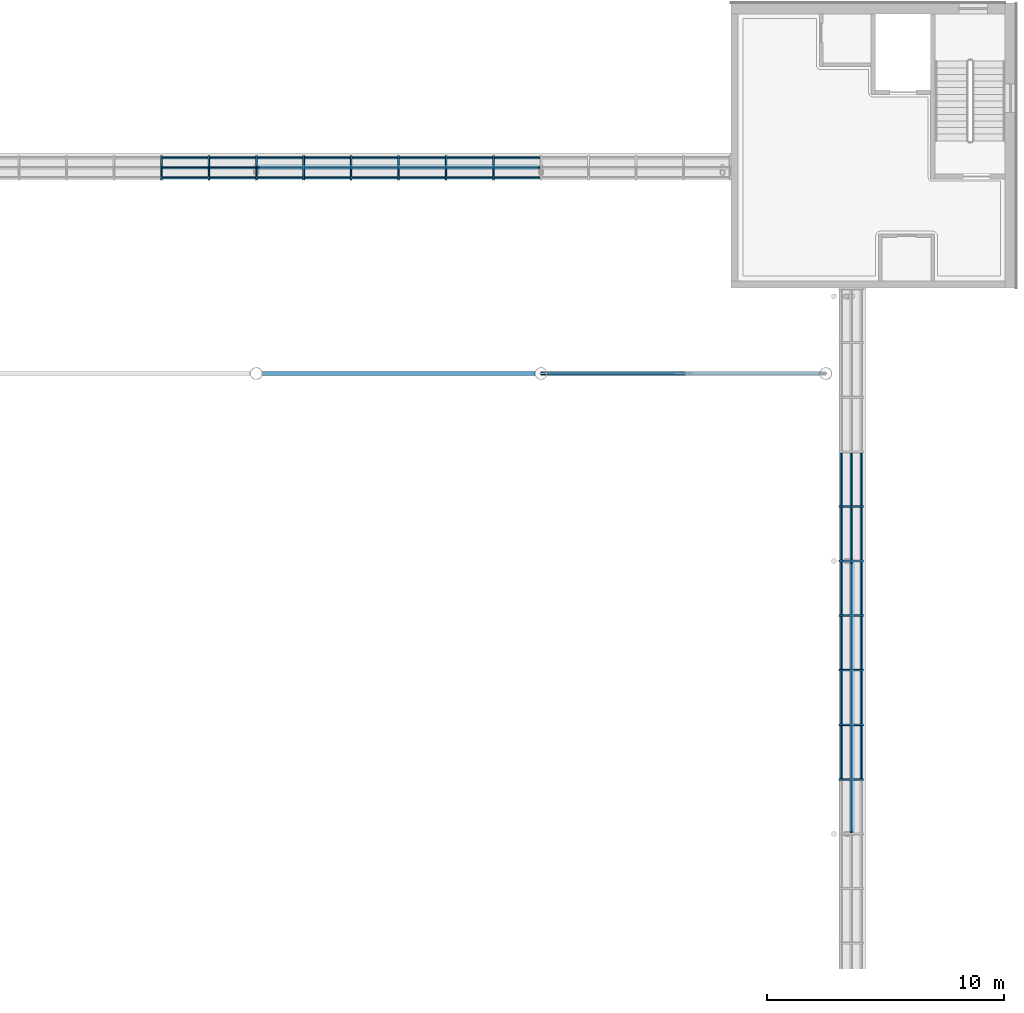
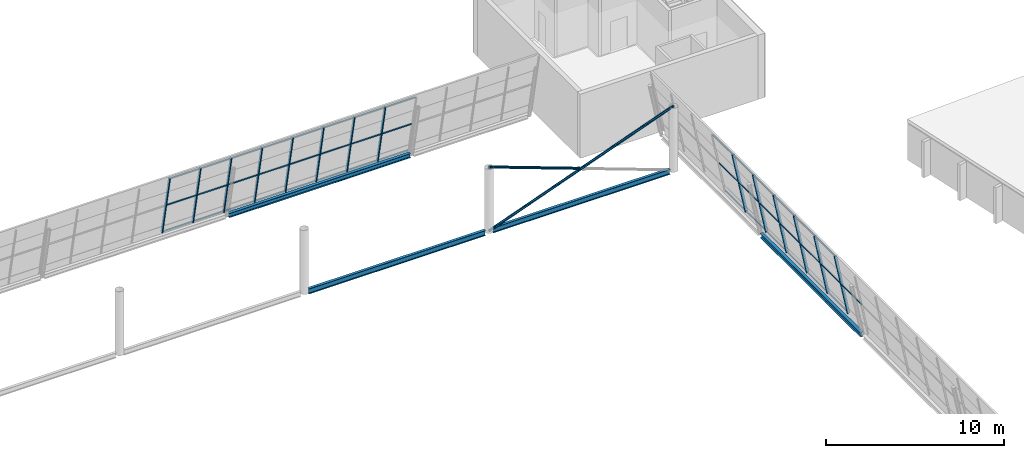
# One storey, part 16 of 50: 59 members, 4 beams, 2 elements without a shape of their own.
"""IFC4 building model written with IfcOpenShell, lengths in metres."""

from ifc_helpers import new_model, si_unit, direction, frame, origin, origin_2d, place, context, subcontext, project, spatial, rectangle, hollow_circle, i_section, extrude, material, layer, layer_set, material_profile, profile_set, type_object, element, aggregate, save


model = new_model("IFC4")

# Units and contexts
model_context = context("Model", 3, precision=1e-05, world=origin(), true_north=direction((0.0, 1.0)))
body_context = subcontext(model_context, "Body", "Model", "MODEL_VIEW")
ifc_project = project(units=[si_unit("LENGTHUNIT", "METRE"), si_unit("AREAUNIT", "SQUARE_METRE"), si_unit("VOLUMEUNIT", "CUBIC_METRE"), si_unit("PLANEANGLEUNIT", "RADIAN"), si_unit("MASSUNIT", "GRAM", prefix="KILO")], contexts=[model_context])

# Site, building, storey
site_placement = place(None, origin())
site = spatial("IfcSite", under=ifc_project, at=site_placement, CompositionType="ELEMENT")
building_placement = place(site_placement, origin())
building = spatial("IfcBuilding", under=site, at=building_placement, Name="Windward Yard Aquatics Centre", CompositionType="ELEMENT")
storey_placement = place(building_placement, frame((0.0, 0.0, 18.199951171875)))
storey = spatial("IfcBuildingStorey", under=building, at=storey_placement, Name="L04", CompositionType="ELEMENT", Elevation=18.199951171875)

# Curtain wall, members
ifc_material_1 = material(Name="Glass and aluminium curtain wall", Category="aluminium")
ifc_layer = layer(ifc_material_1, 0.179931640625)
ifc_layer_set = layer_set([ifc_layer], Name="H curtain wall tier 2 double glazed 6+16+6")
curtain_wall_type = type_object("IfcCurtainWallType", Name="H curtain wall tier 2 double glazed 6+16+6", PredefinedType="NOTDEFINED", material=ifc_layer_set)
curtain_wall_1_placement = place(storey_placement, origin())
curtain_wall_1 = element("IfcCurtainWall", 1, at=curtain_wall_1_placement, inside=storey, type_object=curtain_wall_type, Name="Tier 2 glazing N L04", PredefinedType="NOTDEFINED")
ifc_material_2 = material(Name="Aluminium 6063-T6 anodised", Category="aluminium")
ifc_material_profile_1 = material_profile(ifc_material_2, rectangle(XDim=0.06494140625, YDim=0.179931640625, at=origin_2d()), Name="H CW mullion 65x180")
ifc_profile_set_1 = profile_set([ifc_material_profile_1], Name="Aluminium 6063-T6 anodised")
member_type_1 = type_object("IfcMemberType", Name="H CW mullion 65x180", PredefinedType="MULLION", material=ifc_profile_set_1)
member_1_placement = place(storey_placement, frame((116.003173828125, 89.494873046875, 0.0), z_axis=(0.0, -0.199376314935, 0.979922999548), x_axis=(1.0, 0.0, 0.0)))
member_1 = element("IfcMember", 2, at=member_1_placement, type_object=member_type_1, Name="G2NB mullion 8", PredefinedType="MULLION", context=body_context, shape_type="SweptSolid", body=[
    extrude(rectangle(XDim=0.06494140625, YDim=0.179931640625, at=origin_2d()), origin(), (0.0, 0.0, 1.0), 4.31884765625),
])
member_2_placement = place(storey_placement, frame((118.0029296875, 89.494873046875, 0.0), z_axis=(0.0, -0.199376314935, 0.979922999548), x_axis=(1.0, 0.0, 0.0)))
member_2 = element("IfcMember", 3, at=member_2_placement, type_object=member_type_1, Name="G2NB mullion 9", PredefinedType="MULLION", context=body_context, shape_type="SweptSolid", body=[
    extrude(rectangle(XDim=0.06494140625, YDim=0.179931640625, at=origin_2d()), origin(), (0.0, 0.0, 1.0), 4.31884765625),
])
member_3_placement = place(storey_placement, frame((120.002685546875, 89.494873046875, 0.0), z_axis=(0.0, -0.199376314935, 0.979922999548), x_axis=(1.0, 0.0, 0.0)))
member_3 = element("IfcMember", 4, at=member_3_placement, type_object=member_type_1, Name="G2NB mullion 10", PredefinedType="MULLION", context=body_context, shape_type="SweptSolid", body=[
    extrude(rectangle(XDim=0.06494140625, YDim=0.179931640625, at=origin_2d()), origin(), (0.0, 0.0, 1.0), 4.31884765625),
])
member_4_placement = place(storey_placement, frame((122.00244140625, 89.494873046875, 0.0), z_axis=(0.0, -0.199376314935, 0.979922999548), x_axis=(1.0, 0.0, 0.0)))
member_4 = element("IfcMember", 5, at=member_4_placement, type_object=member_type_1, Name="G2NB mullion 11", PredefinedType="MULLION", context=body_context, shape_type="SweptSolid", body=[
    extrude(rectangle(XDim=0.06494140625, YDim=0.179931640625, at=origin_2d()), origin(), (0.0, 0.0, 1.0), 4.31884765625),
])
member_5_placement = place(storey_placement, frame((124.002197265625, 89.494873046875, 0.0), z_axis=(0.0, -0.199376314935, 0.979922999548), x_axis=(1.0, 0.0, 0.0)))
member_5 = element("IfcMember", 6, at=member_5_placement, type_object=member_type_1, Name="G2NB mullion 12", PredefinedType="MULLION", context=body_context, shape_type="SweptSolid", body=[
    extrude(rectangle(XDim=0.06494140625, YDim=0.179931640625, at=origin_2d()), origin(), (0.0, 0.0, 1.0), 4.31884765625),
])
member_6_placement = place(storey_placement, frame((126.001953125, 89.494873046875, 0.0), z_axis=(0.0, -0.199376314935, 0.979922999548), x_axis=(1.0, 0.0, 0.0)))
member_6 = element("IfcMember", 7, at=member_6_placement, type_object=member_type_1, Name="G2NB mullion 13", PredefinedType="MULLION", context=body_context, shape_type="SweptSolid", body=[
    extrude(rectangle(XDim=0.06494140625, YDim=0.179931640625, at=origin_2d()), origin(), (0.0, 0.0, 1.0), 4.31884765625),
])
member_7_placement = place(storey_placement, frame((128.00146484375, 89.494873046875, 0.0), z_axis=(0.0, -0.199376314935, 0.979922999548), x_axis=(1.0, 0.0, 0.0)))
member_7 = element("IfcMember", 8, at=member_7_placement, type_object=member_type_1, Name="G2NB mullion 14", PredefinedType="MULLION", context=body_context, shape_type="SweptSolid", body=[
    extrude(rectangle(XDim=0.06494140625, YDim=0.179931640625, at=origin_2d()), origin(), (0.0, 0.0, 1.0), 4.31884765625),
])
member_8_placement = place(storey_placement, frame((130.001220703125, 89.494873046875, 0.0), z_axis=(0.0, -0.199376314935, 0.979922999548), x_axis=(1.0, 0.0, 0.0)))
member_8 = element("IfcMember", 9, at=member_8_placement, type_object=member_type_1, Name="G2NB mullion 15", PredefinedType="MULLION", context=body_context, shape_type="SweptSolid", body=[
    extrude(rectangle(XDim=0.06494140625, YDim=0.179931640625, at=origin_2d()), origin(), (0.0, 0.0, 1.0), 4.31884765625),
])

curtain_wall_2_placement = place(storey_placement, origin())
curtain_wall_2 = element("IfcCurtainWall", 10, at=curtain_wall_2_placement, inside=storey, type_object=curtain_wall_type, Name="Tier 2 glazing E L04", PredefinedType="NOTDEFINED")
member_9_placement = place(storey_placement, frame((145.494873046875, 63.300048828125, 0.0), z_axis=(-0.199376314935, 0.0, 0.979922999548), x_axis=(0.0, -1.0, 0.0)))
member_9 = element("IfcMember", 11, at=member_9_placement, type_object=member_type_1, Name="G2EA mullion 12", PredefinedType="MULLION", context=body_context, shape_type="SweptSolid", body=[
    extrude(rectangle(XDim=0.06494140625, YDim=0.179931640625, at=origin_2d()), origin(), (0.0, 0.0, 1.0), 4.31884765625),
])
member_10_placement = place(storey_placement, frame((145.494873046875, 65.60009765625, 0.0), z_axis=(-0.199376314935, 0.0, 0.979922999548), x_axis=(0.0, -1.0, 0.0)))
member_10 = element("IfcMember", 12, at=member_10_placement, type_object=member_type_1, Name="G2EA mullion 13", PredefinedType="MULLION", context=body_context, shape_type="SweptSolid", body=[
    extrude(rectangle(XDim=0.06494140625, YDim=0.179931640625, at=origin_2d()), origin(), (0.0, 0.0, 1.0), 4.31884765625),
])
member_11_placement = place(storey_placement, frame((145.494873046875, 67.89990234375, 0.0), z_axis=(-0.199376314935, 0.0, 0.979922999548), x_axis=(0.0, -1.0, 0.0)))
member_11 = element("IfcMember", 13, at=member_11_placement, type_object=member_type_1, Name="G2EA mullion 14", PredefinedType="MULLION", context=body_context, shape_type="SweptSolid", body=[
    extrude(rectangle(XDim=0.06494140625, YDim=0.179931640625, at=origin_2d()), origin(), (0.0, 0.0, 1.0), 4.31884765625),
])
member_12_placement = place(storey_placement, frame((145.494873046875, 70.199951171875, 0.0), z_axis=(-0.199376314935, 0.0, 0.979922999548), x_axis=(0.0, -1.0, 0.0)))
member_12 = element("IfcMember", 14, at=member_12_placement, type_object=member_type_1, Name="G2EA mullion 15", PredefinedType="MULLION", context=body_context, shape_type="SweptSolid", body=[
    extrude(rectangle(XDim=0.06494140625, YDim=0.179931640625, at=origin_2d()), origin(), (0.0, 0.0, 1.0), 4.31884765625),
])
member_13_placement = place(storey_placement, frame((145.494873046875, 72.5, 0.0), z_axis=(-0.199376314935, 0.0, 0.979922999548), x_axis=(0.0, -1.0, 0.0)))
member_13 = element("IfcMember", 15, at=member_13_placement, type_object=member_type_1, Name="G2EA mullion 16", PredefinedType="MULLION", context=body_context, shape_type="SweptSolid", body=[
    extrude(rectangle(XDim=0.06494140625, YDim=0.179931640625, at=origin_2d()), origin(), (0.0, 0.0, 1.0), 4.31884765625),
])
member_14_placement = place(storey_placement, frame((145.494873046875, 74.800048828125, 0.0), z_axis=(-0.199376314935, 0.0, 0.979922999548), x_axis=(0.0, -1.0, 0.0)))
member_14 = element("IfcMember", 16, at=member_14_placement, type_object=member_type_1, Name="G2EA mullion 17", PredefinedType="MULLION", context=body_context, shape_type="SweptSolid", body=[
    extrude(rectangle(XDim=0.06494140625, YDim=0.179931640625, at=origin_2d()), origin(), (0.0, 0.0, 1.0), 4.31884765625),
])

# Member
ifc_material_profile_2 = material_profile(ifc_material_2, rectangle(XDim=0.06494140625, YDim=0.10009765625, at=origin_2d()), Name="H CW transom 65x100")
ifc_profile_set_2 = profile_set([ifc_material_profile_2], Name="Aluminium 6063-T6 anodised")
member_type_2 = type_object("IfcMemberType", Name="H CW transom 65x100", PredefinedType="USERDEFINED", material=ifc_profile_set_2)
member_15_placement = place(storey_placement, frame((116.03564453125, 89.48486328125, 0.049072265625), z_axis=(1.0, 0.0, 0.0), x_axis=(0.0, 0.9799247046, 0.19936793452)))
member_15 = element("IfcMember", 17, at=member_15_placement, type_object=member_type_2, Name="G2NB transom 8.1", ObjectType="TRANSOM", PredefinedType="USERDEFINED", context=body_context, shape_type="SweptSolid", body=[
    extrude(rectangle(XDim=0.06494140625, YDim=0.10009765625, at=origin_2d()), origin(), (0.0, 0.0, 1.0), 1.934814453125),
])

member_16_placement = place(storey_placement, frame((116.03564453125, 89.0625, 2.125), z_axis=(1.0, 0.0, 0.0), x_axis=(0.0, 0.9799247046, 0.19936793452)))
member_16 = element("IfcMember", 18, at=member_16_placement, type_object=member_type_2, Name="G2NB transom 8.2", ObjectType="TRANSOM", PredefinedType="USERDEFINED", context=body_context, shape_type="SweptSolid", body=[
    extrude(rectangle(XDim=0.06494140625, YDim=0.10009765625, at=origin_2d()), origin(), (0.0, 0.0, 1.0), 1.934814453125),
])

member_17_placement = place(storey_placement, frame((116.03564453125, 88.641357421875, 4.194580078125), z_axis=(1.0, 0.0, 0.0), x_axis=(0.0, 0.9799247046, 0.19936793452)))
member_17 = element("IfcMember", 19, at=member_17_placement, type_object=member_type_2, Name="G2NB transom 8.3", ObjectType="TRANSOM", PredefinedType="USERDEFINED", context=body_context, shape_type="SweptSolid", body=[
    extrude(rectangle(XDim=0.06494140625, YDim=0.10009765625, at=origin_2d()), origin(), (0.0, 0.0, 1.0), 1.934814453125),
])

member_18_placement = place(storey_placement, frame((118.035400390625, 89.48486328125, 0.049072265625), z_axis=(1.0, 0.0, 0.0), x_axis=(0.0, 0.9799247046, 0.19936793452)))
member_18 = element("IfcMember", 20, at=member_18_placement, type_object=member_type_2, Name="G2NB transom 9.1", ObjectType="TRANSOM", PredefinedType="USERDEFINED", context=body_context, shape_type="SweptSolid", body=[
    extrude(rectangle(XDim=0.06494140625, YDim=0.10009765625, at=origin_2d()), origin(), (0.0, 0.0, 1.0), 1.934814453125),
])

member_19_placement = place(storey_placement, frame((118.035400390625, 89.0625, 2.125), z_axis=(1.0, 0.0, 0.0), x_axis=(0.0, 0.9799247046, 0.19936793452)))
member_19 = element("IfcMember", 21, at=member_19_placement, type_object=member_type_2, Name="G2NB transom 9.2", ObjectType="TRANSOM", PredefinedType="USERDEFINED", context=body_context, shape_type="SweptSolid", body=[
    extrude(rectangle(XDim=0.06494140625, YDim=0.10009765625, at=origin_2d()), origin(), (0.0, 0.0, 1.0), 1.934814453125),
])

member_20_placement = place(storey_placement, frame((118.035400390625, 88.641357421875, 4.194580078125), z_axis=(1.0, 0.0, 0.0), x_axis=(0.0, 0.9799247046, 0.19936793452)))
member_20 = element("IfcMember", 22, at=member_20_placement, type_object=member_type_2, Name="G2NB transom 9.3", ObjectType="TRANSOM", PredefinedType="USERDEFINED", context=body_context, shape_type="SweptSolid", body=[
    extrude(rectangle(XDim=0.06494140625, YDim=0.10009765625, at=origin_2d()), origin(), (0.0, 0.0, 1.0), 1.934814453125),
])

member_21_placement = place(storey_placement, frame((120.03515625, 89.48486328125, 0.049072265625), z_axis=(1.0, 0.0, 0.0), x_axis=(0.0, 0.9799247046, 0.19936793452)))
member_21 = element("IfcMember", 23, at=member_21_placement, type_object=member_type_2, Name="G2NB transom 10.1", ObjectType="TRANSOM", PredefinedType="USERDEFINED", context=body_context, shape_type="SweptSolid", body=[
    extrude(rectangle(XDim=0.06494140625, YDim=0.10009765625, at=origin_2d()), origin(), (0.0, 0.0, 1.0), 1.934814453125),
])

member_22_placement = place(storey_placement, frame((120.03515625, 89.0625, 2.125), z_axis=(1.0, 0.0, 0.0), x_axis=(0.0, 0.9799247046, 0.19936793452)))
member_22 = element("IfcMember", 24, at=member_22_placement, type_object=member_type_2, Name="G2NB transom 10.2", ObjectType="TRANSOM", PredefinedType="USERDEFINED", context=body_context, shape_type="SweptSolid", body=[
    extrude(rectangle(XDim=0.06494140625, YDim=0.10009765625, at=origin_2d()), origin(), (0.0, 0.0, 1.0), 1.934814453125),
])

member_23_placement = place(storey_placement, frame((120.03515625, 88.641357421875, 4.194580078125), z_axis=(1.0, 0.0, 0.0), x_axis=(0.0, 0.9799247046, 0.19936793452)))
member_23 = element("IfcMember", 25, at=member_23_placement, type_object=member_type_2, Name="G2NB transom 10.3", ObjectType="TRANSOM", PredefinedType="USERDEFINED", context=body_context, shape_type="SweptSolid", body=[
    extrude(rectangle(XDim=0.06494140625, YDim=0.10009765625, at=origin_2d()), origin(), (0.0, 0.0, 1.0), 1.934814453125),
])

member_24_placement = place(storey_placement, frame((122.034912109375, 89.48486328125, 0.049072265625), z_axis=(1.0, 0.0, 0.0), x_axis=(0.0, 0.9799247046, 0.19936793452)))
member_24 = element("IfcMember", 26, at=member_24_placement, type_object=member_type_2, Name="G2NB transom 11.1", ObjectType="TRANSOM", PredefinedType="USERDEFINED", context=body_context, shape_type="SweptSolid", body=[
    extrude(rectangle(XDim=0.06494140625, YDim=0.10009765625, at=origin_2d()), origin(), (0.0, 0.0, 1.0), 1.934814453125),
])

member_25_placement = place(storey_placement, frame((122.034912109375, 89.0625, 2.125), z_axis=(1.0, 0.0, 0.0), x_axis=(0.0, 0.9799247046, 0.19936793452)))
member_25 = element("IfcMember", 27, at=member_25_placement, type_object=member_type_2, Name="G2NB transom 11.2", ObjectType="TRANSOM", PredefinedType="USERDEFINED", context=body_context, shape_type="SweptSolid", body=[
    extrude(rectangle(XDim=0.06494140625, YDim=0.10009765625, at=origin_2d()), origin(), (0.0, 0.0, 1.0), 1.934814453125),
])

member_26_placement = place(storey_placement, frame((122.034912109375, 88.641357421875, 4.194580078125), z_axis=(1.0, 0.0, 0.0), x_axis=(0.0, 0.9799247046, 0.19936793452)))
member_26 = element("IfcMember", 28, at=member_26_placement, type_object=member_type_2, Name="G2NB transom 11.3", ObjectType="TRANSOM", PredefinedType="USERDEFINED", context=body_context, shape_type="SweptSolid", body=[
    extrude(rectangle(XDim=0.06494140625, YDim=0.10009765625, at=origin_2d()), origin(), (0.0, 0.0, 1.0), 1.934814453125),
])

member_27_placement = place(storey_placement, frame((124.03466796875, 89.48486328125, 0.049072265625), z_axis=(1.0, 0.0, 0.0), x_axis=(0.0, 0.9799247046, 0.19936793452)))
member_27 = element("IfcMember", 29, at=member_27_placement, type_object=member_type_2, Name="G2NB transom 12.1", ObjectType="TRANSOM", PredefinedType="USERDEFINED", context=body_context, shape_type="SweptSolid", body=[
    extrude(rectangle(XDim=0.06494140625, YDim=0.10009765625, at=origin_2d()), origin(), (0.0, 0.0, 1.0), 1.9345703125),
])

member_28_placement = place(storey_placement, frame((124.03466796875, 89.0625, 2.125), z_axis=(1.0, 0.0, 0.0), x_axis=(0.0, 0.9799247046, 0.19936793452)))
member_28 = element("IfcMember", 30, at=member_28_placement, type_object=member_type_2, Name="G2NB transom 12.2", ObjectType="TRANSOM", PredefinedType="USERDEFINED", context=body_context, shape_type="SweptSolid", body=[
    extrude(rectangle(XDim=0.06494140625, YDim=0.10009765625, at=origin_2d()), origin(), (0.0, 0.0, 1.0), 1.9345703125),
])

member_29_placement = place(storey_placement, frame((124.03466796875, 88.641357421875, 4.194580078125), z_axis=(1.0, 0.0, 0.0), x_axis=(0.0, 0.9799247046, 0.19936793452)))
member_29 = element("IfcMember", 31, at=member_29_placement, type_object=member_type_2, Name="G2NB transom 12.3", ObjectType="TRANSOM", PredefinedType="USERDEFINED", context=body_context, shape_type="SweptSolid", body=[
    extrude(rectangle(XDim=0.06494140625, YDim=0.10009765625, at=origin_2d()), origin(), (0.0, 0.0, 1.0), 1.9345703125),
])

member_30_placement = place(storey_placement, frame((126.034423828125, 89.48486328125, 0.049072265625), z_axis=(1.0, 0.0, 0.0), x_axis=(0.0, 0.9799247046, 0.19936793452)))
member_30 = element("IfcMember", 32, at=member_30_placement, type_object=member_type_2, Name="G2NB transom 13.1", ObjectType="TRANSOM", PredefinedType="USERDEFINED", context=body_context, shape_type="SweptSolid", body=[
    extrude(rectangle(XDim=0.06494140625, YDim=0.10009765625, at=origin_2d()), origin(), (0.0, 0.0, 1.0), 1.9345703125),
])

member_31_placement = place(storey_placement, frame((126.034423828125, 89.0625, 2.125), z_axis=(1.0, 0.0, 0.0), x_axis=(0.0, 0.9799247046, 0.19936793452)))
member_31 = element("IfcMember", 33, at=member_31_placement, type_object=member_type_2, Name="G2NB transom 13.2", ObjectType="TRANSOM", PredefinedType="USERDEFINED", context=body_context, shape_type="SweptSolid", body=[
    extrude(rectangle(XDim=0.06494140625, YDim=0.10009765625, at=origin_2d()), origin(), (0.0, 0.0, 1.0), 1.9345703125),
])

member_32_placement = place(storey_placement, frame((126.034423828125, 88.641357421875, 4.194580078125), z_axis=(1.0, 0.0, 0.0), x_axis=(0.0, 0.9799247046, 0.19936793452)))
member_32 = element("IfcMember", 34, at=member_32_placement, type_object=member_type_2, Name="G2NB transom 13.3", ObjectType="TRANSOM", PredefinedType="USERDEFINED", context=body_context, shape_type="SweptSolid", body=[
    extrude(rectangle(XDim=0.06494140625, YDim=0.10009765625, at=origin_2d()), origin(), (0.0, 0.0, 1.0), 1.9345703125),
])

member_33_placement = place(storey_placement, frame((128.0341796875, 89.48486328125, 0.049072265625), z_axis=(1.0, 0.0, 0.0), x_axis=(0.0, 0.9799247046, 0.19936793452)))
member_33 = element("IfcMember", 35, at=member_33_placement, type_object=member_type_2, Name="G2NB transom 14.1", ObjectType="TRANSOM", PredefinedType="USERDEFINED", context=body_context, shape_type="SweptSolid", body=[
    extrude(rectangle(XDim=0.06494140625, YDim=0.10009765625, at=origin_2d()), origin(), (0.0, 0.0, 1.0), 1.9345703125),
])

member_34_placement = place(storey_placement, frame((128.0341796875, 89.0625, 2.125), z_axis=(1.0, 0.0, 0.0), x_axis=(0.0, 0.9799247046, 0.19936793452)))
member_34 = element("IfcMember", 36, at=member_34_placement, type_object=member_type_2, Name="G2NB transom 14.2", ObjectType="TRANSOM", PredefinedType="USERDEFINED", context=body_context, shape_type="SweptSolid", body=[
    extrude(rectangle(XDim=0.06494140625, YDim=0.10009765625, at=origin_2d()), origin(), (0.0, 0.0, 1.0), 1.9345703125),
])

member_35_placement = place(storey_placement, frame((128.0341796875, 88.641357421875, 4.194580078125), z_axis=(1.0, 0.0, 0.0), x_axis=(0.0, 0.9799247046, 0.19936793452)))
member_35 = element("IfcMember", 37, at=member_35_placement, type_object=member_type_2, Name="G2NB transom 14.3", ObjectType="TRANSOM", PredefinedType="USERDEFINED", context=body_context, shape_type="SweptSolid", body=[
    extrude(rectangle(XDim=0.06494140625, YDim=0.10009765625, at=origin_2d()), origin(), (0.0, 0.0, 1.0), 1.9345703125),
])

member_36_placement = place(storey_placement, frame((130.033935546875, 89.48486328125, 0.049072265625), z_axis=(1.0, 0.0, 0.0), x_axis=(0.0, 0.9799247046, 0.19936793452)))
member_36 = element("IfcMember", 38, at=member_36_placement, type_object=member_type_2, Name="G2NB transom 15.1", ObjectType="TRANSOM", PredefinedType="USERDEFINED", context=body_context, shape_type="SweptSolid", body=[
    extrude(rectangle(XDim=0.06494140625, YDim=0.10009765625, at=origin_2d()), origin(), (0.0, 0.0, 1.0), 1.9345703125),
])

member_37_placement = place(storey_placement, frame((130.033935546875, 89.0625, 2.125), z_axis=(1.0, 0.0, 0.0), x_axis=(0.0, 0.9799247046, 0.19936793452)))
member_37 = element("IfcMember", 39, at=member_37_placement, type_object=member_type_2, Name="G2NB transom 15.2", ObjectType="TRANSOM", PredefinedType="USERDEFINED", context=body_context, shape_type="SweptSolid", body=[
    extrude(rectangle(XDim=0.06494140625, YDim=0.10009765625, at=origin_2d()), origin(), (0.0, 0.0, 1.0), 1.9345703125),
])

member_38_placement = place(storey_placement, frame((130.033935546875, 88.641357421875, 4.194580078125), z_axis=(1.0, 0.0, 0.0), x_axis=(0.0, 0.9799247046, 0.19936793452)))
member_38 = element("IfcMember", 40, at=member_38_placement, type_object=member_type_2, Name="G2NB transom 15.3", ObjectType="TRANSOM", PredefinedType="USERDEFINED", context=body_context, shape_type="SweptSolid", body=[
    extrude(rectangle(XDim=0.06494140625, YDim=0.10009765625, at=origin_2d()), origin(), (0.0, 0.0, 1.0), 1.9345703125),
])

aggregate(curtain_wall_1, [member_1, member_2, member_3, member_4, member_5, member_6, member_7, member_8, member_15, member_16, member_17, member_18, member_19, member_20, member_21, member_22, member_23, member_24, member_25, member_26, member_27, member_28, member_29, member_30, member_31, member_32, member_33, member_34, member_35, member_36, member_37, member_38])

member_39_placement = place(storey_placement, frame((145.0625, 61.032470703125, 2.125), z_axis=(0.0, 1.0, 0.0), x_axis=(0.9799247046, 0.0, 0.19936793452)))
member_39 = element("IfcMember", 41, at=member_39_placement, type_object=member_type_2, Name="G2EA transom 11.2", ObjectType="TRANSOM", PredefinedType="USERDEFINED", context=body_context, shape_type="SweptSolid", body=[
    extrude(rectangle(XDim=0.06494140625, YDim=0.10009765625, at=origin_2d()), origin(), (0.0, 0.0, 1.0), 2.235107421875),
])

member_40_placement = place(storey_placement, frame((145.48486328125, 63.33251953125, 0.049072265625), z_axis=(0.0, 1.0, 0.0), x_axis=(0.9799247046, 0.0, 0.19936793452)))
member_40 = element("IfcMember", 42, at=member_40_placement, type_object=member_type_2, Name="G2EA transom 12.1", ObjectType="TRANSOM", PredefinedType="USERDEFINED", context=body_context, shape_type="SweptSolid", body=[
    extrude(rectangle(XDim=0.06494140625, YDim=0.10009765625, at=origin_2d()), origin(), (0.0, 0.0, 1.0), 2.23486328125),
])

member_41_placement = place(storey_placement, frame((145.0625, 63.33251953125, 2.125), z_axis=(0.0, 1.0, 0.0), x_axis=(0.9799247046, 0.0, 0.19936793452)))
member_41 = element("IfcMember", 43, at=member_41_placement, type_object=member_type_2, Name="G2EA transom 12.2", ObjectType="TRANSOM", PredefinedType="USERDEFINED", context=body_context, shape_type="SweptSolid", body=[
    extrude(rectangle(XDim=0.06494140625, YDim=0.10009765625, at=origin_2d()), origin(), (0.0, 0.0, 1.0), 2.23486328125),
])

member_42_placement = place(storey_placement, frame((144.641357421875, 63.33251953125, 4.194580078125), z_axis=(0.0, 1.0, 0.0), x_axis=(0.9799247046, 0.0, 0.19936793452)))
member_42 = element("IfcMember", 44, at=member_42_placement, type_object=member_type_2, Name="G2EA transom 12.3", ObjectType="TRANSOM", PredefinedType="USERDEFINED", context=body_context, shape_type="SweptSolid", body=[
    extrude(rectangle(XDim=0.06494140625, YDim=0.10009765625, at=origin_2d()), origin(), (0.0, 0.0, 1.0), 2.23486328125),
])

member_43_placement = place(storey_placement, frame((145.48486328125, 65.632568359375, 0.049072265625), z_axis=(0.0, 1.0, 0.0), x_axis=(0.9799247046, 0.0, 0.19936793452)))
member_43 = element("IfcMember", 45, at=member_43_placement, type_object=member_type_2, Name="G2EA transom 13.1", ObjectType="TRANSOM", PredefinedType="USERDEFINED", context=body_context, shape_type="SweptSolid", body=[
    extrude(rectangle(XDim=0.06494140625, YDim=0.10009765625, at=origin_2d()), origin(), (0.0, 0.0, 1.0), 2.23486328125),
])

member_44_placement = place(storey_placement, frame((145.0625, 65.632568359375, 2.125), z_axis=(0.0, 1.0, 0.0), x_axis=(0.9799247046, 0.0, 0.19936793452)))
member_44 = element("IfcMember", 46, at=member_44_placement, type_object=member_type_2, Name="G2EA transom 13.2", ObjectType="TRANSOM", PredefinedType="USERDEFINED", context=body_context, shape_type="SweptSolid", body=[
    extrude(rectangle(XDim=0.06494140625, YDim=0.10009765625, at=origin_2d()), origin(), (0.0, 0.0, 1.0), 2.23486328125),
])

member_45_placement = place(storey_placement, frame((144.641357421875, 65.632568359375, 4.194580078125), z_axis=(0.0, 1.0, 0.0), x_axis=(0.9799247046, 0.0, 0.19936793452)))
member_45 = element("IfcMember", 47, at=member_45_placement, type_object=member_type_2, Name="G2EA transom 13.3", ObjectType="TRANSOM", PredefinedType="USERDEFINED", context=body_context, shape_type="SweptSolid", body=[
    extrude(rectangle(XDim=0.06494140625, YDim=0.10009765625, at=origin_2d()), origin(), (0.0, 0.0, 1.0), 2.23486328125),
])

member_46_placement = place(storey_placement, frame((145.48486328125, 67.9326171875, 0.049072265625), z_axis=(0.0, 1.0, 0.0), x_axis=(0.9799247046, 0.0, 0.19936793452)))
member_46 = element("IfcMember", 48, at=member_46_placement, type_object=member_type_2, Name="G2EA transom 14.1", ObjectType="TRANSOM", PredefinedType="USERDEFINED", context=body_context, shape_type="SweptSolid", body=[
    extrude(rectangle(XDim=0.06494140625, YDim=0.10009765625, at=origin_2d()), origin(), (0.0, 0.0, 1.0), 2.23486328125),
])

member_47_placement = place(storey_placement, frame((145.0625, 67.9326171875, 2.125), z_axis=(0.0, 1.0, 0.0), x_axis=(0.9799247046, 0.0, 0.19936793452)))
member_47 = element("IfcMember", 49, at=member_47_placement, type_object=member_type_2, Name="G2EA transom 14.2", ObjectType="TRANSOM", PredefinedType="USERDEFINED", context=body_context, shape_type="SweptSolid", body=[
    extrude(rectangle(XDim=0.06494140625, YDim=0.10009765625, at=origin_2d()), origin(), (0.0, 0.0, 1.0), 2.23486328125),
])

member_48_placement = place(storey_placement, frame((144.641357421875, 67.9326171875, 4.194580078125), z_axis=(0.0, 1.0, 0.0), x_axis=(0.9799247046, 0.0, 0.19936793452)))
member_48 = element("IfcMember", 50, at=member_48_placement, type_object=member_type_2, Name="G2EA transom 14.3", ObjectType="TRANSOM", PredefinedType="USERDEFINED", context=body_context, shape_type="SweptSolid", body=[
    extrude(rectangle(XDim=0.06494140625, YDim=0.10009765625, at=origin_2d()), origin(), (0.0, 0.0, 1.0), 2.23486328125),
])

member_49_placement = place(storey_placement, frame((145.48486328125, 70.232421875, 0.049072265625), z_axis=(0.0, 1.0, 0.0), x_axis=(0.9799247046, 0.0, 0.19936793452)))
member_49 = element("IfcMember", 51, at=member_49_placement, type_object=member_type_2, Name="G2EA transom 15.1", ObjectType="TRANSOM", PredefinedType="USERDEFINED", context=body_context, shape_type="SweptSolid", body=[
    extrude(rectangle(XDim=0.06494140625, YDim=0.10009765625, at=origin_2d()), origin(), (0.0, 0.0, 1.0), 2.235107421875),
])

member_50_placement = place(storey_placement, frame((145.0625, 70.232421875, 2.125), z_axis=(0.0, 1.0, 0.0), x_axis=(0.9799247046, 0.0, 0.19936793452)))
member_50 = element("IfcMember", 52, at=member_50_placement, type_object=member_type_2, Name="G2EA transom 15.2", ObjectType="TRANSOM", PredefinedType="USERDEFINED", context=body_context, shape_type="SweptSolid", body=[
    extrude(rectangle(XDim=0.06494140625, YDim=0.10009765625, at=origin_2d()), origin(), (0.0, 0.0, 1.0), 2.235107421875),
])

member_51_placement = place(storey_placement, frame((144.641357421875, 70.232421875, 4.194580078125), z_axis=(0.0, 1.0, 0.0), x_axis=(0.9799247046, 0.0, 0.19936793452)))
member_51 = element("IfcMember", 53, at=member_51_placement, type_object=member_type_2, Name="G2EA transom 15.3", ObjectType="TRANSOM", PredefinedType="USERDEFINED", context=body_context, shape_type="SweptSolid", body=[
    extrude(rectangle(XDim=0.06494140625, YDim=0.10009765625, at=origin_2d()), origin(), (0.0, 0.0, 1.0), 2.235107421875),
])

member_52_placement = place(storey_placement, frame((145.48486328125, 72.532470703125, 0.049072265625), z_axis=(0.0, 1.0, 0.0), x_axis=(0.9799247046, 0.0, 0.19936793452)))
member_52 = element("IfcMember", 54, at=member_52_placement, type_object=member_type_2, Name="G2EA transom 16.1", ObjectType="TRANSOM", PredefinedType="USERDEFINED", context=body_context, shape_type="SweptSolid", body=[
    extrude(rectangle(XDim=0.06494140625, YDim=0.10009765625, at=origin_2d()), origin(), (0.0, 0.0, 1.0), 2.235107421875),
])

member_53_placement = place(storey_placement, frame((145.0625, 72.532470703125, 2.125), z_axis=(0.0, 1.0, 0.0), x_axis=(0.9799247046, 0.0, 0.19936793452)))
member_53 = element("IfcMember", 55, at=member_53_placement, type_object=member_type_2, Name="G2EA transom 16.2", ObjectType="TRANSOM", PredefinedType="USERDEFINED", context=body_context, shape_type="SweptSolid", body=[
    extrude(rectangle(XDim=0.06494140625, YDim=0.10009765625, at=origin_2d()), origin(), (0.0, 0.0, 1.0), 2.235107421875),
])

member_54_placement = place(storey_placement, frame((144.641357421875, 72.532470703125, 4.194580078125), z_axis=(0.0, 1.0, 0.0), x_axis=(0.9799247046, 0.0, 0.19936793452)))
member_54 = element("IfcMember", 56, at=member_54_placement, type_object=member_type_2, Name="G2EA transom 16.3", ObjectType="TRANSOM", PredefinedType="USERDEFINED", context=body_context, shape_type="SweptSolid", body=[
    extrude(rectangle(XDim=0.06494140625, YDim=0.10009765625, at=origin_2d()), origin(), (0.0, 0.0, 1.0), 2.235107421875),
])

member_55_placement = place(storey_placement, frame((145.48486328125, 74.83251953125, 0.049072265625), z_axis=(0.0, 1.0, 0.0), x_axis=(0.9799247046, 0.0, 0.19936793452)))
member_55 = element("IfcMember", 57, at=member_55_placement, type_object=member_type_2, Name="G2EA transom 17.1", ObjectType="TRANSOM", PredefinedType="USERDEFINED", context=body_context, shape_type="SweptSolid", body=[
    extrude(rectangle(XDim=0.06494140625, YDim=0.10009765625, at=origin_2d()), origin(), (0.0, 0.0, 1.0), 2.23486328125),
])

member_56_placement = place(storey_placement, frame((145.0625, 74.83251953125, 2.125), z_axis=(0.0, 1.0, 0.0), x_axis=(0.9799247046, 0.0, 0.19936793452)))
member_56 = element("IfcMember", 58, at=member_56_placement, type_object=member_type_2, Name="G2EA transom 17.2", ObjectType="TRANSOM", PredefinedType="USERDEFINED", context=body_context, shape_type="SweptSolid", body=[
    extrude(rectangle(XDim=0.06494140625, YDim=0.10009765625, at=origin_2d()), origin(), (0.0, 0.0, 1.0), 2.23486328125),
])

member_57_placement = place(storey_placement, frame((144.641357421875, 74.83251953125, 4.194580078125), z_axis=(0.0, 1.0, 0.0), x_axis=(0.9799247046, 0.0, 0.19936793452)))
member_57 = element("IfcMember", 59, at=member_57_placement, type_object=member_type_2, Name="G2EA transom 17.3", ObjectType="TRANSOM", PredefinedType="USERDEFINED", context=body_context, shape_type="SweptSolid", body=[
    extrude(rectangle(XDim=0.06494140625, YDim=0.10009765625, at=origin_2d()), origin(), (0.0, 0.0, 1.0), 2.23486328125),
])

aggregate(curtain_wall_2, [member_9, member_10, member_11, member_12, member_13, member_14, member_39, member_40, member_41, member_42, member_43, member_44, member_45, member_46, member_47, member_48, member_49, member_50, member_51, member_52, member_53, member_54, member_55, member_56, member_57])

# Beams
ifc_material_3 = material(Name="Steel ASTM A992 Gr 50", Category="steel")
ifc_material_profile_3 = material_profile(ifc_material_3, i_section(OverallWidth=0.172119140625, OverallDepth=0.35791015625, WebThickness=0.0078125, FlangeThickness=0.01318359375, at=origin_2d()), Name="W360X57.8")
ifc_profile_set_3 = profile_set([ifc_material_profile_3], Name="Steel ASTM A992 Gr 50")
beam_type_1 = type_object("IfcBeamType", Name="H arch column tie beam W360X57.8", PredefinedType="BEAM", material=ifc_profile_set_3)
for number, where, z_axis, x_axis, name in (
    (60, (120.25390625, 80.39990234375, 0.0), (1.0, 0.0, 0.0), (0.0, 1.0, 0.0), "H.TB.N6.T4"),
    (61, (132.25390625, 80.39990234375, 0.0), (1.0, 0.0, 0.0), (0.0, 1.0, 0.0), "H.TB.N7.T4"),
):
    element("IfcBeam", number, at=place(storey_placement, frame(where, z_axis=z_axis, x_axis=x_axis)), inside=storey, type_object=beam_type_1, Name=name, PredefinedType="BEAM", context=body_context, shape_type="SweptSolid", body=[
        extrude(i_section(OverallWidth=0.172119140625, OverallDepth=0.35791015625, WebThickness=0.0078125, FlangeThickness=0.01318359375, at=origin_2d()), origin(), (0.0, 0.0, 1.0), 11.4921875),
    ])

# Members
ifc_material_4 = material(Name="Steel ASTM A500 Gr C", Category="steel")
ifc_material_profile_4 = material_profile(ifc_material_4, hollow_circle(Radius=0.084228515625, WallThickness=0.010986328125, at=origin_2d()), Name="HSS168.3X11")
ifc_profile_set_4 = profile_set([ifc_material_profile_4], Name="Steel ASTM A500 Gr C")
member_type_3 = type_object("IfcMemberType", Name="H column brace HSS168.3X11", PredefinedType="BRACE", material=ifc_profile_set_4)
member_58_placement = place(storey_placement, frame((132.0, 80.39990234375, 0.0), z_axis=(0.938872611543, 0.0, 0.344264751746), x_axis=(0.0, 1.0, 0.0)))
element("IfcMember", 62, at=member_58_placement, inside=storey, type_object=member_type_3, Name="H.VB.N7.L04.A", PredefinedType="BRACE", context=body_context, shape_type="SweptSolid", body=[
    extrude(hollow_circle(Radius=0.084228515625, WallThickness=0.010986328125, at=origin_2d()), origin(), (0.0, 0.0, 1.0), 12.78125),
])
member_59_placement = place(storey_placement, frame((132.0, 80.39990234375, 4.400146484375), z_axis=(0.938872965334, 0.0, -0.344263786891), x_axis=(0.0, 1.0, 0.0)))
element("IfcMember", 63, at=member_59_placement, inside=storey, type_object=member_type_3, Name="H.VB.N7.L04.B1", PredefinedType="BRACE", context=body_context, shape_type="SweptSolid", body=[
    extrude(hollow_circle(Radius=0.084228515625, WallThickness=0.010986328125, at=origin_2d()), origin(), (0.0, 0.0, 1.0), 6.2802734375),
])

# Beams
ifc_material_profile_5 = material_profile(ifc_material_3, i_section(OverallWidth=0.202880859375, OverallDepth=0.302001953125, WebThickness=0.007568359375, FlangeThickness=0.01318359375, at=origin_2d()), Name="W310X60")
ifc_profile_set_5 = profile_set([ifc_material_profile_5], Name="Steel ASTM A992 Gr 50")
beam_type_2 = type_object("IfcBeamType", Name="H tier ring beam W310X60", PredefinedType="BEAM", material=ifc_profile_set_5)
beam_1_placement = place(storey_placement, frame((120.109619140625, 89.09521484375, 0.0), z_axis=(1.0, 0.0, 0.0), x_axis=(0.0, 1.0, 0.0)))
element("IfcBeam", 64, at=beam_1_placement, inside=storey, type_object=beam_type_2, Name="H.RG.N6.2", PredefinedType="BEAM", context=body_context, shape_type="SweptSolid", body=[
    extrude(i_section(OverallWidth=0.202880859375, OverallDepth=0.302001953125, WebThickness=0.007568359375, FlangeThickness=0.01318359375, at=origin_2d()), origin(), (0.0, 0.0, 1.0), 11.78076171875),
])
beam_2_placement = place(storey_placement, frame((145.09521484375, 61.109619140625, 0.0), z_axis=(0.0, 1.0, 0.0), x_axis=(-1.0, 0.0, 0.0)))
element("IfcBeam", 65, at=beam_2_placement, inside=storey, type_object=beam_type_2, Name="H.RG.E3.2", PredefinedType="BEAM", context=body_context, shape_type="SweptSolid", body=[
    extrude(i_section(OverallWidth=0.202880859375, OverallDepth=0.302001953125, WebThickness=0.007568359375, FlangeThickness=0.01318359375, at=origin_2d()), origin(), (0.0, 0.0, 1.0), 11.28076171875),
])

save(model, "model.ifc")
